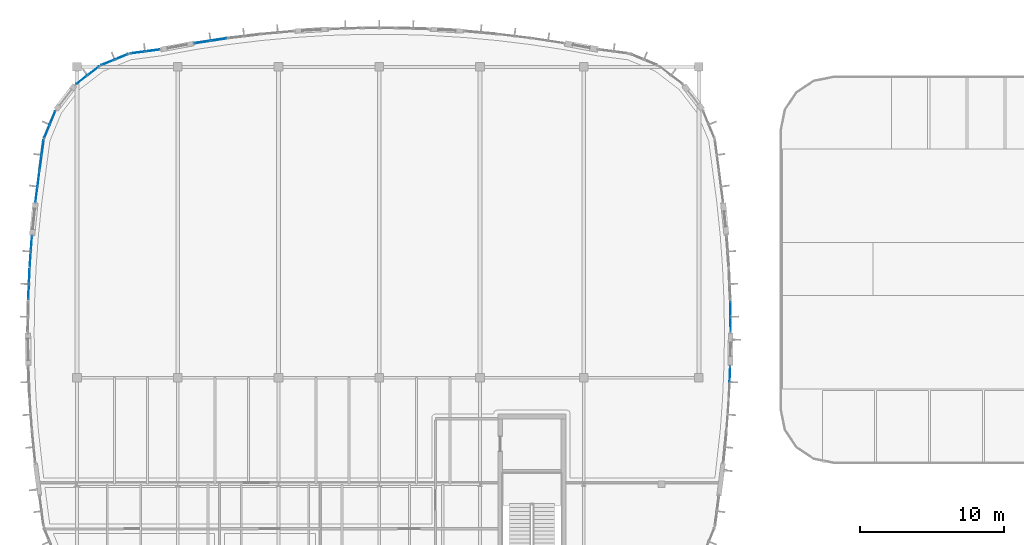
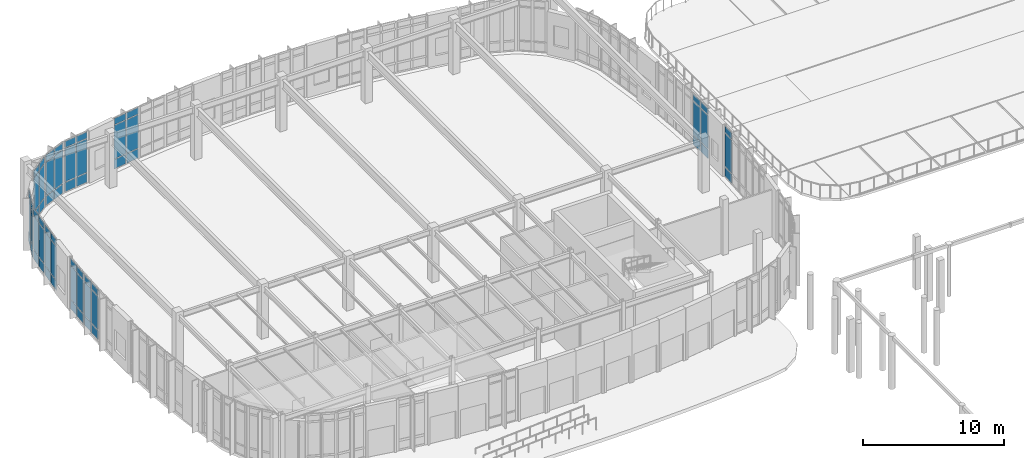
# One storey, part 77 of 120: 63 plates, 11 elements without a shape of their own.
"""IFC4 building model written with IfcOpenShell, lengths in metres."""

from ifc_helpers import new_model, si_unit, direction, frame, origin, origin_2d, place, context, subcontext, project, spatial, rectangle, extrude, material, layer, layer_set, type_object, element, aggregate, save


model = new_model("IFC4")

# Units and contexts
model_context = context("Model", 3, precision=1e-05, world=origin(), true_north=direction((0.0, 1.0)))
body_context = subcontext(model_context, "Body", "Model", "MODEL_VIEW")
ifc_project = project(units=[si_unit("LENGTHUNIT", "METRE"), si_unit("AREAUNIT", "SQUARE_METRE"), si_unit("VOLUMEUNIT", "CUBIC_METRE"), si_unit("PLANEANGLEUNIT", "RADIAN"), si_unit("MASSUNIT", "GRAM", prefix="KILO")], contexts=[model_context])

# Site, building, storey
site_placement = place(None, origin())
site = spatial("IfcSite", under=ifc_project, at=site_placement, CompositionType="ELEMENT")
building_placement = place(site_placement, origin())
building = spatial("IfcBuilding", under=site, at=building_placement, Name="Corveleigh Park Community Centre", CompositionType="ELEMENT")
storey_placement = place(building_placement, origin())
storey = spatial("IfcBuildingStorey", under=building, at=storey_placement, Name="L00", CompositionType="ELEMENT", Elevation=0.0)

# Curtain wall, plates
ifc_material_1 = material(Name="Anodised aluminium 6063-T6", Category="aluminium")
curtain_wall_type = type_object("IfcCurtainWallType", Name="CW-SYS-V2-L00", PredefinedType="NOTDEFINED", material=ifc_material_1)
curtain_wall_1_placement = place(storey_placement, origin())
curtain_wall_1 = element("IfcCurtainWall", 1, at=curtain_wall_1_placement, inside=storey, type_object=curtain_wall_type, Name="V2 L00 Curtain Wall 61", PredefinedType="NOTDEFINED")
ifc_material_2 = material(Name="Low-E double glazing", Category="glass")
ifc_layer_1 = layer(ifc_material_2, 0.02392578125, Name="Low-E double glazing", Category="glass")
ifc_layer_set_1 = layer_set([ifc_layer_1], Name="Low-E double glazing")
plate_type_1 = type_object("IfcPlateType", Name="CWP-GLZ-24", PredefinedType="CURTAIN_PANEL", material=ifc_layer_set_1)
plate_1_placement = place(storey_placement, frame((9.107421875, 109.909423828125, 0.06005859375), z_axis=(0.0, 0.0, 1.0), x_axis=(0.382946568059, 0.923770494231, 0.0)))
plate_1 = element("IfcPlate", 2, at=plate_1_placement, type_object=plate_type_1, Name="CW03 panel 1.1", PredefinedType="CURTAIN_PANEL", context=body_context, shape_type="SweptSolid", body=[
    extrude(rectangle(XDim=0.97412109375, YDim=0.02392578125, at=origin_2d()), origin(), (0.0, 0.0, 1.0), 0.81005859375),
])
plate_2_placement = place(storey_placement, frame((9.107421875, 109.909423828125, 0.93017578125), z_axis=(0.0, 0.0, 1.0), x_axis=(0.382946568059, 0.923770494231, 0.0)))
plate_2 = element("IfcPlate", 3, at=plate_2_placement, type_object=plate_type_1, Name="CW03 panel 1.2", PredefinedType="CURTAIN_PANEL", context=body_context, shape_type="SweptSolid", body=[
    extrude(rectangle(XDim=0.97412109375, YDim=0.02392578125, at=origin_2d()), origin(), (0.0, 0.0, 1.0), 2.902099609375),
])
plate_3_placement = place(storey_placement, frame((9.107421875, 109.909423828125, 3.89208984375), z_axis=(0.0, 0.0, 1.0), x_axis=(0.382946568059, 0.923770494231, 0.0)))
plate_3 = element("IfcPlate", 4, at=plate_3_placement, type_object=plate_type_1, Name="CW03 panel 1.3", PredefinedType="CURTAIN_PANEL", context=body_context, shape_type="SweptSolid", body=[
    extrude(rectangle(XDim=0.97412109375, YDim=0.02392578125, at=origin_2d()), origin(), (0.0, 0.0, 1.0), 0.56005859375),
])
plate_4_placement = place(storey_placement, frame((9.50341796875, 110.86474609375, 0.06005859375), z_axis=(0.0, 0.0, 1.0), x_axis=(0.382946568059, 0.923770494231, 0.0)))
plate_4 = element("IfcPlate", 5, at=plate_4_placement, type_object=plate_type_1, Name="CW03 panel 2.1", PredefinedType="CURTAIN_PANEL", context=body_context, shape_type="SweptSolid", body=[
    extrude(rectangle(XDim=0.97412109375, YDim=0.02392578125, at=origin_2d()), origin(), (0.0, 0.0, 1.0), 0.81005859375),
])
plate_5_placement = place(storey_placement, frame((9.50341796875, 110.86474609375, 0.93017578125), z_axis=(0.0, 0.0, 1.0), x_axis=(0.382946568059, 0.923770494231, 0.0)))
plate_5 = element("IfcPlate", 6, at=plate_5_placement, type_object=plate_type_1, Name="CW03 panel 2.2", PredefinedType="CURTAIN_PANEL", context=body_context, shape_type="SweptSolid", body=[
    extrude(rectangle(XDim=0.97412109375, YDim=0.02392578125, at=origin_2d()), origin(), (0.0, 0.0, 1.0), 2.902099609375),
])
plate_6_placement = place(storey_placement, frame((9.50341796875, 110.86474609375, 3.89208984375), z_axis=(0.0, 0.0, 1.0), x_axis=(0.382946568059, 0.923770494231, 0.0)))
plate_6 = element("IfcPlate", 7, at=plate_6_placement, type_object=plate_type_1, Name="CW03 panel 2.3", PredefinedType="CURTAIN_PANEL", context=body_context, shape_type="SweptSolid", body=[
    extrude(rectangle(XDim=0.97412109375, YDim=0.02392578125, at=origin_2d()), origin(), (0.0, 0.0, 1.0), 0.56005859375),
])
aggregate(curtain_wall_1, [plate_1, plate_2, plate_3, plate_4, plate_5, plate_6])

curtain_wall_2_placement = place(storey_placement, origin())
curtain_wall_2 = element("IfcCurtainWall", 8, at=curtain_wall_2_placement, inside=storey, type_object=curtain_wall_type, Name="V2 L00 Curtain Wall 62", PredefinedType="NOTDEFINED")
plate_7_placement = place(storey_placement, frame((8.67333984375, 107.756103515625, 0.06494140625), z_axis=(0.0, 0.0, 1.0), x_axis=(0.130430498525, 0.99145745499, 0.0)))
plate_7 = element("IfcPlate", 9, at=plate_7_placement, type_object=plate_type_1, Name="CW03 panel 1.1", PredefinedType="CURTAIN_PANEL", context=body_context, shape_type="SweptSolid", body=[
    extrude(rectangle(XDim=0.979736328125, YDim=0.02392578125, at=origin_2d()), origin(), (0.0, 0.0, 1.0), 0.802490234375),
])
plate_8_placement = place(storey_placement, frame((8.67333984375, 107.756103515625, 0.9326171875), z_axis=(0.0, 0.0, 1.0), x_axis=(0.130430498525, 0.99145745499, 0.0)))
plate_8 = element("IfcPlate", 10, at=plate_8_placement, type_object=plate_type_1, Name="CW03 panel 1.2", PredefinedType="CURTAIN_PANEL", context=body_context, shape_type="SweptSolid", body=[
    extrude(rectangle(XDim=0.979736328125, YDim=0.02392578125, at=origin_2d()), origin(), (0.0, 0.0, 1.0), 2.89697265625),
])
plate_9_placement = place(storey_placement, frame((8.67333984375, 107.756103515625, 3.89453125), z_axis=(0.0, 0.0, 1.0), x_axis=(0.130430498525, 0.99145745499, 0.0)))
plate_9 = element("IfcPlate", 11, at=plate_9_placement, type_object=plate_type_1, Name="CW03 panel 1.3", PredefinedType="CURTAIN_PANEL", context=body_context, shape_type="SweptSolid", body=[
    extrude(rectangle(XDim=0.979736328125, YDim=0.02392578125, at=origin_2d()), origin(), (0.0, 0.0, 1.0), 0.552490234375),
])
plate_10_placement = place(storey_placement, frame((8.8095703125, 108.7919921875, 0.06494140625), z_axis=(0.0, 0.0, 1.0), x_axis=(0.130430498525, 0.99145745499, 0.0)))
plate_10 = element("IfcPlate", 12, at=plate_10_placement, type_object=plate_type_1, Name="CW03 panel 2.1", PredefinedType="CURTAIN_PANEL", context=body_context, shape_type="SweptSolid", body=[
    extrude(rectangle(XDim=0.979736328125, YDim=0.02392578125, at=origin_2d()), origin(), (0.0, 0.0, 1.0), 0.802490234375),
])
plate_11_placement = place(storey_placement, frame((8.8095703125, 108.7919921875, 0.9326171875), z_axis=(0.0, 0.0, 1.0), x_axis=(0.130430498525, 0.99145745499, 0.0)))
plate_11 = element("IfcPlate", 13, at=plate_11_placement, type_object=plate_type_1, Name="CW03 panel 2.2", PredefinedType="CURTAIN_PANEL", context=body_context, shape_type="SweptSolid", body=[
    extrude(rectangle(XDim=0.979736328125, YDim=0.02392578125, at=origin_2d()), origin(), (0.0, 0.0, 1.0), 2.89697265625),
])
plate_12_placement = place(storey_placement, frame((8.8095703125, 108.7919921875, 3.89453125), z_axis=(0.0, 0.0, 1.0), x_axis=(0.130430498525, 0.99145745499, 0.0)))
plate_12 = element("IfcPlate", 14, at=plate_12_placement, type_object=plate_type_1, Name="CW03 panel 2.3", PredefinedType="CURTAIN_PANEL", context=body_context, shape_type="SweptSolid", body=[
    extrude(rectangle(XDim=0.979736328125, YDim=0.02392578125, at=origin_2d()), origin(), (0.0, 0.0, 1.0), 0.552490234375),
])
aggregate(curtain_wall_2, [plate_7, plate_8, plate_9, plate_10, plate_11, plate_12])

curtain_wall_3_placement = place(storey_placement, origin())
curtain_wall_3 = element("IfcCurtainWall", 15, at=curtain_wall_3_placement, inside=storey, type_object=curtain_wall_type, Name="V2 L00 Curtain Wall 39", PredefinedType="NOTDEFINED")
ifc_layer_2 = layer(ifc_material_2, 0.028076171875, Name="Low-E double glazing", Category="glass")
ifc_layer_set_2 = layer_set([ifc_layer_2], Name="Low-E double glazing")
plate_type_2 = type_object("IfcPlateType", Name="CWP-GLZ-28", PredefinedType="CURTAIN_PANEL", material=ifc_layer_set_2)
plate_13_placement = place(storey_placement, frame((56.561767578125, 93.043701171875, 0.074951171875), z_axis=(0.0, 0.0, 1.0), x_axis=(-0.043572286221, -0.99905027695, 0.0)))
plate_13 = element("IfcPlate", 16, at=plate_13_placement, type_object=plate_type_2, Name="CW03 panel 1.1", PredefinedType="CURTAIN_PANEL", context=body_context, shape_type="SweptSolid", body=[
    extrude(rectangle(XDim=1.01953125, YDim=0.028076171875, at=origin_2d()), origin(), (0.0, 0.0, 1.0), 0.78759765625),
])
plate_14_placement = place(storey_placement, frame((56.561767578125, 93.043701171875, 0.9375), z_axis=(0.0, 0.0, 1.0), x_axis=(-0.043572286221, -0.99905027695, 0.0)))
plate_14 = element("IfcPlate", 17, at=plate_14_placement, type_object=plate_type_2, Name="CW03 panel 1.2", PredefinedType="CURTAIN_PANEL", context=body_context, shape_type="SweptSolid", body=[
    extrude(rectangle(XDim=1.01953125, YDim=0.028076171875, at=origin_2d()), origin(), (0.0, 0.0, 1.0), 2.886962890625),
])
plate_15_placement = place(storey_placement, frame((56.561767578125, 93.043701171875, 3.8994140625), z_axis=(0.0, 0.0, 1.0), x_axis=(-0.043572286221, -0.99905027695, 0.0)))
plate_15 = element("IfcPlate", 18, at=plate_15_placement, type_object=plate_type_2, Name="CW03 panel 1.3", PredefinedType="CURTAIN_PANEL", context=body_context, shape_type="SweptSolid", body=[
    extrude(rectangle(XDim=1.01953125, YDim=0.028076171875, at=origin_2d()), origin(), (0.0, 0.0, 1.0), 0.53759765625),
])
aggregate(curtain_wall_3, [plate_13, plate_14, plate_15])

curtain_wall_4_placement = place(storey_placement, origin())
curtain_wall_4 = element("IfcCurtainWall", 19, at=curtain_wall_4_placement, inside=storey, type_object=curtain_wall_type, Name="V2 L00 Curtain Wall 40", PredefinedType="NOTDEFINED")
plate_16_placement = place(storey_placement, frame((56.595458984375, 97.57763671875, 0.080078125), z_axis=(0.0, 0.0, 1.0), x_axis=(0.014665089441, -0.999892461794, 0.0)))
plate_16 = element("IfcPlate", 20, at=plate_16_placement, type_object=plate_type_2, Name="CW03 panel 1.1", PredefinedType="CURTAIN_PANEL", context=body_context, shape_type="SweptSolid", body=[
    extrude(rectangle(XDim=1.0126953125, YDim=0.028076171875, at=origin_2d()), origin(), (0.0, 0.0, 1.0), 0.780029296875),
])
plate_17_placement = place(storey_placement, frame((56.595458984375, 97.57763671875, 0.93994140625), z_axis=(0.0, 0.0, 1.0), x_axis=(0.014665089441, -0.999892461794, 0.0)))
plate_17 = element("IfcPlate", 21, at=plate_17_placement, type_object=plate_type_2, Name="CW03 panel 1.2", PredefinedType="CURTAIN_PANEL", context=body_context, shape_type="SweptSolid", body=[
    extrude(rectangle(XDim=1.0126953125, YDim=0.028076171875, at=origin_2d()), origin(), (0.0, 0.0, 1.0), 2.882080078125),
])
plate_18_placement = place(storey_placement, frame((56.595458984375, 97.57763671875, 3.90185546875), z_axis=(0.0, 0.0, 1.0), x_axis=(0.014665089441, -0.999892461794, 0.0)))
plate_18 = element("IfcPlate", 22, at=plate_18_placement, type_object=plate_type_2, Name="CW03 panel 1.3", PredefinedType="CURTAIN_PANEL", context=body_context, shape_type="SweptSolid", body=[
    extrude(rectangle(XDim=1.0126953125, YDim=0.028076171875, at=origin_2d()), origin(), (0.0, 0.0, 1.0), 0.530029296875),
])
plate_19_placement = place(storey_placement, frame((56.611572265625, 96.490234375, 0.080078125), z_axis=(0.0, 0.0, 1.0), x_axis=(0.014665089441, -0.999892461794, 0.0)))
plate_19 = element("IfcPlate", 23, at=plate_19_placement, type_object=plate_type_2, Name="CW03 panel 2.1", PredefinedType="CURTAIN_PANEL", context=body_context, shape_type="SweptSolid", body=[
    extrude(rectangle(XDim=1.0126953125, YDim=0.028076171875, at=origin_2d()), origin(), (0.0, 0.0, 1.0), 0.780029296875),
])
plate_20_placement = place(storey_placement, frame((56.611572265625, 96.490234375, 0.93994140625), z_axis=(0.0, 0.0, 1.0), x_axis=(0.014665089441, -0.999892461794, 0.0)))
plate_20 = element("IfcPlate", 24, at=plate_20_placement, type_object=plate_type_2, Name="CW03 panel 2.2", PredefinedType="CURTAIN_PANEL", context=body_context, shape_type="SweptSolid", body=[
    extrude(rectangle(XDim=1.0126953125, YDim=0.028076171875, at=origin_2d()), origin(), (0.0, 0.0, 1.0), 2.882080078125),
])
plate_21_placement = place(storey_placement, frame((56.611572265625, 96.490234375, 3.90185546875), z_axis=(0.0, 0.0, 1.0), x_axis=(0.014665089441, -0.999892461794, 0.0)))
plate_21 = element("IfcPlate", 25, at=plate_21_placement, type_object=plate_type_2, Name="CW03 panel 2.3", PredefinedType="CURTAIN_PANEL", context=body_context, shape_type="SweptSolid", body=[
    extrude(rectangle(XDim=1.0126953125, YDim=0.028076171875, at=origin_2d()), origin(), (0.0, 0.0, 1.0), 0.530029296875),
])
aggregate(curtain_wall_4, [plate_16, plate_17, plate_18, plate_19, plate_20, plate_21])

curtain_wall_5_placement = place(storey_placement, origin())
curtain_wall_5 = element("IfcCurtainWall", 26, at=curtain_wall_5_placement, inside=storey, type_object=curtain_wall_type, Name="V2 L00 Curtain Wall 63", PredefinedType="NOTDEFINED")
plate_22_placement = place(storey_placement, frame((8.381591796875, 105.535888671875, 0.070068359375), z_axis=(0.0, 0.0, 1.0), x_axis=(0.13004118961, 0.991508592502, 0.0)))
plate_22 = element("IfcPlate", 27, at=plate_22_placement, type_object=plate_type_2, Name="CW03 panel 1.1", PredefinedType="CURTAIN_PANEL", context=body_context, shape_type="SweptSolid", body=[
    extrude(rectangle(XDim=1.021484375, YDim=0.028076171875, at=origin_2d()), origin(), (0.0, 0.0, 1.0), 0.794921875),
])
plate_23_placement = place(storey_placement, frame((8.381591796875, 105.535888671875, 0.93505859375), z_axis=(0.0, 0.0, 1.0), x_axis=(0.13004118961, 0.991508592502, 0.0)))
plate_23 = element("IfcPlate", 28, at=plate_23_placement, type_object=plate_type_2, Name="CW03 panel 1.2", PredefinedType="CURTAIN_PANEL", context=body_context, shape_type="SweptSolid", body=[
    extrude(rectangle(XDim=1.021484375, YDim=0.028076171875, at=origin_2d()), origin(), (0.0, 0.0, 1.0), 2.89208984375),
])
plate_24_placement = place(storey_placement, frame((8.381591796875, 105.535888671875, 3.89697265625), z_axis=(0.0, 0.0, 1.0), x_axis=(0.13004118961, 0.991508592502, 0.0)))
plate_24 = element("IfcPlate", 29, at=plate_24_placement, type_object=plate_type_2, Name="CW03 panel 1.3", PredefinedType="CURTAIN_PANEL", context=body_context, shape_type="SweptSolid", body=[
    extrude(rectangle(XDim=1.021484375, YDim=0.028076171875, at=origin_2d()), origin(), (0.0, 0.0, 1.0), 0.544921875),
])
plate_25_placement = place(storey_placement, frame((8.5234375, 106.6181640625, 0.070068359375), z_axis=(0.0, 0.0, 1.0), x_axis=(0.13004118961, 0.991508592502, 0.0)))
plate_25 = element("IfcPlate", 30, at=plate_25_placement, type_object=plate_type_2, Name="CW03 panel 2.1", PredefinedType="CURTAIN_PANEL", context=body_context, shape_type="SweptSolid", body=[
    extrude(rectangle(XDim=1.021484375, YDim=0.028076171875, at=origin_2d()), origin(), (0.0, 0.0, 1.0), 0.794921875),
])
plate_26_placement = place(storey_placement, frame((8.5234375, 106.6181640625, 0.93505859375), z_axis=(0.0, 0.0, 1.0), x_axis=(0.13004118961, 0.991508592502, 0.0)))
plate_26 = element("IfcPlate", 31, at=plate_26_placement, type_object=plate_type_2, Name="CW03 panel 2.2", PredefinedType="CURTAIN_PANEL", context=body_context, shape_type="SweptSolid", body=[
    extrude(rectangle(XDim=1.021484375, YDim=0.028076171875, at=origin_2d()), origin(), (0.0, 0.0, 1.0), 2.89208984375),
])
plate_27_placement = place(storey_placement, frame((8.5234375, 106.6181640625, 3.89697265625), z_axis=(0.0, 0.0, 1.0), x_axis=(0.13004118961, 0.991508592502, 0.0)))
plate_27 = element("IfcPlate", 32, at=plate_27_placement, type_object=plate_type_2, Name="CW03 panel 2.3", PredefinedType="CURTAIN_PANEL", context=body_context, shape_type="SweptSolid", body=[
    extrude(rectangle(XDim=1.021484375, YDim=0.028076171875, at=origin_2d()), origin(), (0.0, 0.0, 1.0), 0.544921875),
])
aggregate(curtain_wall_5, [plate_22, plate_23, plate_24, plate_25, plate_26, plate_27])

curtain_wall_6_placement = place(storey_placement, origin())
curtain_wall_6 = element("IfcCurtainWall", 33, at=curtain_wall_6_placement, inside=storey, type_object=curtain_wall_type, Name="V2 L00 Curtain Wall 64", PredefinedType="NOTDEFINED")
plate_28_placement = place(storey_placement, frame((7.953857421875, 101.021728515625, 0.074951171875), z_axis=(0.0, 0.0, 1.0), x_axis=(0.072005120539, 0.997404262381, 0.0)))
plate_28 = element("IfcPlate", 34, at=plate_28_placement, type_object=plate_type_2, Name="CW03 panel 1.1", PredefinedType="CURTAIN_PANEL", context=body_context, shape_type="SweptSolid", body=[
    extrude(rectangle(XDim=1.012451171875, YDim=0.028076171875, at=origin_2d()), origin(), (0.0, 0.0, 1.0), 0.78759765625),
])
plate_29_placement = place(storey_placement, frame((7.953857421875, 101.021728515625, 0.9375), z_axis=(0.0, 0.0, 1.0), x_axis=(0.072005120539, 0.997404262381, 0.0)))
plate_29 = element("IfcPlate", 35, at=plate_29_placement, type_object=plate_type_2, Name="CW03 panel 1.2", PredefinedType="CURTAIN_PANEL", context=body_context, shape_type="SweptSolid", body=[
    extrude(rectangle(XDim=1.012451171875, YDim=0.028076171875, at=origin_2d()), origin(), (0.0, 0.0, 1.0), 2.886962890625),
])
plate_30_placement = place(storey_placement, frame((7.953857421875, 101.021728515625, 3.8994140625), z_axis=(0.0, 0.0, 1.0), x_axis=(0.072005120539, 0.997404262381, 0.0)))
plate_30 = element("IfcPlate", 36, at=plate_30_placement, type_object=plate_type_2, Name="CW03 panel 1.3", PredefinedType="CURTAIN_PANEL", context=body_context, shape_type="SweptSolid", body=[
    extrude(rectangle(XDim=1.012451171875, YDim=0.028076171875, at=origin_2d()), origin(), (0.0, 0.0, 1.0), 0.53759765625),
])
plate_31_placement = place(storey_placement, frame((8.0322265625, 102.106201171875, 0.074951171875), z_axis=(0.0, 0.0, 1.0), x_axis=(0.072005120539, 0.997404262381, 0.0)))
plate_31 = element("IfcPlate", 37, at=plate_31_placement, type_object=plate_type_2, Name="CW03 panel 2.1", PredefinedType="CURTAIN_PANEL", context=body_context, shape_type="SweptSolid", body=[
    extrude(rectangle(XDim=1.012451171875, YDim=0.028076171875, at=origin_2d()), origin(), (0.0, 0.0, 1.0), 0.78759765625),
])
plate_32_placement = place(storey_placement, frame((8.0322265625, 102.106201171875, 0.9375), z_axis=(0.0, 0.0, 1.0), x_axis=(0.072005120539, 0.997404262381, 0.0)))
plate_32 = element("IfcPlate", 38, at=plate_32_placement, type_object=plate_type_2, Name="CW03 panel 2.2", PredefinedType="CURTAIN_PANEL", context=body_context, shape_type="SweptSolid", body=[
    extrude(rectangle(XDim=1.012451171875, YDim=0.028076171875, at=origin_2d()), origin(), (0.0, 0.0, 1.0), 2.886962890625),
])
plate_33_placement = place(storey_placement, frame((8.0322265625, 102.106201171875, 3.8994140625), z_axis=(0.0, 0.0, 1.0), x_axis=(0.072005120539, 0.997404262381, 0.0)))
plate_33 = element("IfcPlate", 39, at=plate_33_placement, type_object=plate_type_2, Name="CW03 panel 2.3", PredefinedType="CURTAIN_PANEL", context=body_context, shape_type="SweptSolid", body=[
    extrude(rectangle(XDim=1.012451171875, YDim=0.028076171875, at=origin_2d()), origin(), (0.0, 0.0, 1.0), 0.53759765625),
])
aggregate(curtain_wall_6, [plate_28, plate_29, plate_30, plate_31, plate_32, plate_33])

curtain_wall_7_placement = place(storey_placement, origin())
curtain_wall_7 = element("IfcCurtainWall", 40, at=curtain_wall_7_placement, inside=storey, type_object=curtain_wall_type, Name="V2 L00 Curtain Wall 65", PredefinedType="NOTDEFINED")
ifc_layer_3 = layer(ifc_material_2, 0.031982421875, Name="Low-E double glazing", Category="glass")
ifc_layer_set_3 = layer_set([ifc_layer_3], Name="Low-E double glazing")
plate_type_3 = type_object("IfcPlateType", Name="CWP-GLZ-32", PredefinedType="CURTAIN_PANEL", material=ifc_layer_set_3)
plate_34_placement = place(storey_placement, frame((7.83837890625, 98.7587890625, 0.080078125), z_axis=(0.0, 0.0, 1.0), x_axis=(0.043572286221, 0.99905027695, 0.0)))
plate_34 = element("IfcPlate", 41, at=plate_34_placement, type_object=plate_type_3, Name="CW03 panel 1.1", PredefinedType="CURTAIN_PANEL", context=body_context, shape_type="SweptSolid", body=[
    extrude(rectangle(XDim=1.004638671875, YDim=0.031982421875, at=origin_2d()), origin(), (0.0, 0.0, 1.0), 0.780029296875),
])
plate_35_placement = place(storey_placement, frame((7.83837890625, 98.7587890625, 0.93994140625), z_axis=(0.0, 0.0, 1.0), x_axis=(0.043572286221, 0.99905027695, 0.0)))
plate_35 = element("IfcPlate", 42, at=plate_35_placement, type_object=plate_type_3, Name="CW03 panel 1.2", PredefinedType="CURTAIN_PANEL", context=body_context, shape_type="SweptSolid", body=[
    extrude(rectangle(XDim=1.004638671875, YDim=0.031982421875, at=origin_2d()), origin(), (0.0, 0.0, 1.0), 2.882080078125),
])
plate_36_placement = place(storey_placement, frame((7.83837890625, 98.7587890625, 3.90185546875), z_axis=(0.0, 0.0, 1.0), x_axis=(0.043572286221, 0.99905027695, 0.0)))
plate_36 = element("IfcPlate", 43, at=plate_36_placement, type_object=plate_type_3, Name="CW03 panel 1.3", PredefinedType="CURTAIN_PANEL", context=body_context, shape_type="SweptSolid", body=[
    extrude(rectangle(XDim=1.004638671875, YDim=0.031982421875, at=origin_2d()), origin(), (0.0, 0.0, 1.0), 0.530029296875),
])
plate_37_placement = place(storey_placement, frame((7.8857421875, 99.84228515625, 0.080078125), z_axis=(0.0, 0.0, 1.0), x_axis=(0.043572286221, 0.99905027695, 0.0)))
plate_37 = element("IfcPlate", 44, at=plate_37_placement, type_object=plate_type_3, Name="CW03 panel 2.1", PredefinedType="CURTAIN_PANEL", context=body_context, shape_type="SweptSolid", body=[
    extrude(rectangle(XDim=1.004638671875, YDim=0.031982421875, at=origin_2d()), origin(), (0.0, 0.0, 1.0), 0.780029296875),
])
plate_38_placement = place(storey_placement, frame((7.8857421875, 99.84228515625, 0.93994140625), z_axis=(0.0, 0.0, 1.0), x_axis=(0.043572286221, 0.99905027695, 0.0)))
plate_38 = element("IfcPlate", 45, at=plate_38_placement, type_object=plate_type_3, Name="CW03 panel 2.2", PredefinedType="CURTAIN_PANEL", context=body_context, shape_type="SweptSolid", body=[
    extrude(rectangle(XDim=1.004638671875, YDim=0.031982421875, at=origin_2d()), origin(), (0.0, 0.0, 1.0), 2.882080078125),
])
plate_39_placement = place(storey_placement, frame((7.8857421875, 99.84228515625, 3.90185546875), z_axis=(0.0, 0.0, 1.0), x_axis=(0.043572286221, 0.99905027695, 0.0)))
plate_39 = element("IfcPlate", 46, at=plate_39_placement, type_object=plate_type_3, Name="CW03 panel 2.3", PredefinedType="CURTAIN_PANEL", context=body_context, shape_type="SweptSolid", body=[
    extrude(rectangle(XDim=1.004638671875, YDim=0.031982421875, at=origin_2d()), origin(), (0.0, 0.0, 1.0), 0.530029296875),
])
aggregate(curtain_wall_7, [plate_34, plate_35, plate_36, plate_37, plate_38, plate_39])

curtain_wall_8_placement = place(storey_placement, origin())
curtain_wall_8 = element("IfcCurtainWall", 47, at=curtain_wall_8_placement, inside=storey, type_object=curtain_wall_type, Name="V2 L00 Curtain Wall 57", PredefinedType="NOTDEFINED")
ifc_layer_4 = layer(ifc_material_2, 0.0400390625, Name="Low-E double glazing", Category="glass")
ifc_layer_set_4 = layer_set([ifc_layer_4], Name="Low-E double glazing")
plate_type_4 = type_object("IfcPlateType", Name="CWP-GLZ-40", PredefinedType="CURTAIN_PANEL", material=ifc_layer_set_4)
plate_40_placement = place(storey_placement, frame((19.918212890625, 116.11669921875, 0.06494140625), z_axis=(0.0, 0.0, 1.0), x_axis=(0.988568927471, 0.150769611128, 0.0)))
plate_40 = element("IfcPlate", 48, at=plate_40_placement, type_object=plate_type_4, Name="CW03 panel 1.1", PredefinedType="CURTAIN_PANEL", context=body_context, shape_type="SweptSolid", body=[
    extrude(rectangle(XDim=1.062255859375, YDim=0.0400390625, at=origin_2d()), origin(), (0.0, 0.0, 1.0), 0.802490234375),
])
plate_41_placement = place(storey_placement, frame((19.918212890625, 116.11669921875, 0.9326171875), z_axis=(0.0, 0.0, 1.0), x_axis=(0.988568927471, 0.150769611128, 0.0)))
plate_41 = element("IfcPlate", 49, at=plate_41_placement, type_object=plate_type_4, Name="CW03 panel 1.2", PredefinedType="CURTAIN_PANEL", context=body_context, shape_type="SweptSolid", body=[
    extrude(rectangle(XDim=1.062255859375, YDim=0.0400390625, at=origin_2d()), origin(), (0.0, 0.0, 1.0), 2.89697265625),
])
plate_42_placement = place(storey_placement, frame((19.918212890625, 116.11669921875, 3.89453125), z_axis=(0.0, 0.0, 1.0), x_axis=(0.988568927471, 0.150769611128, 0.0)))
plate_42 = element("IfcPlate", 50, at=plate_42_placement, type_object=plate_type_4, Name="CW03 panel 1.3", PredefinedType="CURTAIN_PANEL", context=body_context, shape_type="SweptSolid", body=[
    extrude(rectangle(XDim=1.062255859375, YDim=0.0400390625, at=origin_2d()), origin(), (0.0, 0.0, 1.0), 0.552490234375),
])
plate_43_placement = place(storey_placement, frame((21.03759765625, 116.287353515625, 0.06494140625), z_axis=(0.0, 0.0, 1.0), x_axis=(0.988568927471, 0.150769611128, 0.0)))
plate_43 = element("IfcPlate", 51, at=plate_43_placement, type_object=plate_type_4, Name="CW03 panel 2.1", PredefinedType="CURTAIN_PANEL", context=body_context, shape_type="SweptSolid", body=[
    extrude(rectangle(XDim=1.062255859375, YDim=0.0400390625, at=origin_2d()), origin(), (0.0, 0.0, 1.0), 0.802490234375),
])
plate_44_placement = place(storey_placement, frame((21.03759765625, 116.287353515625, 0.9326171875), z_axis=(0.0, 0.0, 1.0), x_axis=(0.988568927471, 0.150769611128, 0.0)))
plate_44 = element("IfcPlate", 52, at=plate_44_placement, type_object=plate_type_4, Name="CW03 panel 2.2", PredefinedType="CURTAIN_PANEL", context=body_context, shape_type="SweptSolid", body=[
    extrude(rectangle(XDim=1.062255859375, YDim=0.0400390625, at=origin_2d()), origin(), (0.0, 0.0, 1.0), 2.89697265625),
])
plate_45_placement = place(storey_placement, frame((21.03759765625, 116.287353515625, 3.89453125), z_axis=(0.0, 0.0, 1.0), x_axis=(0.988568927471, 0.150769611128, 0.0)))
plate_45 = element("IfcPlate", 53, at=plate_45_placement, type_object=plate_type_4, Name="CW03 panel 2.3", PredefinedType="CURTAIN_PANEL", context=body_context, shape_type="SweptSolid", body=[
    extrude(rectangle(XDim=1.062255859375, YDim=0.0400390625, at=origin_2d()), origin(), (0.0, 0.0, 1.0), 0.552490234375),
])
aggregate(curtain_wall_8, [plate_40, plate_41, plate_42, plate_43, plate_44, plate_45])

curtain_wall_9_placement = place(storey_placement, origin())
curtain_wall_9 = element("IfcCurtainWall", 54, at=curtain_wall_9_placement, inside=storey, type_object=curtain_wall_type, Name="V2 L00 Curtain Wall 58", PredefinedType="NOTDEFINED")
plate_46_placement = place(storey_placement, frame((15.409423828125, 115.390625, 0.070068359375), z_axis=(0.0, 0.0, 1.0), x_axis=(0.991417836118, 0.130731305458, 0.0)))
plate_46 = element("IfcPlate", 55, at=plate_46_placement, type_object=plate_type_4, Name="CW03 panel 1.1", PredefinedType="CURTAIN_PANEL", context=body_context, shape_type="SweptSolid", body=[
    extrude(rectangle(XDim=0.962158203125, YDim=0.0400390625, at=origin_2d()), origin(), (0.0, 0.0, 1.0), 0.794921875),
])
plate_47_placement = place(storey_placement, frame((15.409423828125, 115.390625, 0.93505859375), z_axis=(0.0, 0.0, 1.0), x_axis=(0.991417836118, 0.130731305458, 0.0)))
plate_47 = element("IfcPlate", 56, at=plate_47_placement, type_object=plate_type_4, Name="CW03 panel 1.2", PredefinedType="CURTAIN_PANEL", context=body_context, shape_type="SweptSolid", body=[
    extrude(rectangle(XDim=0.962158203125, YDim=0.0400390625, at=origin_2d()), origin(), (0.0, 0.0, 1.0), 2.89208984375),
])
plate_48_placement = place(storey_placement, frame((15.409423828125, 115.390625, 3.89697265625), z_axis=(0.0, 0.0, 1.0), x_axis=(0.991417836118, 0.130731305458, 0.0)))
plate_48 = element("IfcPlate", 57, at=plate_48_placement, type_object=plate_type_4, Name="CW03 panel 1.3", PredefinedType="CURTAIN_PANEL", context=body_context, shape_type="SweptSolid", body=[
    extrude(rectangle(XDim=0.962158203125, YDim=0.0400390625, at=origin_2d()), origin(), (0.0, 0.0, 1.0), 0.544921875),
])
plate_49_placement = place(storey_placement, frame((16.437744140625, 115.5263671875, 0.070068359375), z_axis=(0.0, 0.0, 1.0), x_axis=(0.991417836118, 0.130731305458, 0.0)))
plate_49 = element("IfcPlate", 58, at=plate_49_placement, type_object=plate_type_4, Name="CW03 panel 2.1", PredefinedType="CURTAIN_PANEL", context=body_context, shape_type="SweptSolid", body=[
    extrude(rectangle(XDim=0.962158203125, YDim=0.0400390625, at=origin_2d()), origin(), (0.0, 0.0, 1.0), 0.794921875),
])
plate_50_placement = place(storey_placement, frame((16.437744140625, 115.5263671875, 0.93505859375), z_axis=(0.0, 0.0, 1.0), x_axis=(0.991417836118, 0.130731305458, 0.0)))
plate_50 = element("IfcPlate", 59, at=plate_50_placement, type_object=plate_type_4, Name="CW03 panel 2.2", PredefinedType="CURTAIN_PANEL", context=body_context, shape_type="SweptSolid", body=[
    extrude(rectangle(XDim=0.962158203125, YDim=0.0400390625, at=origin_2d()), origin(), (0.0, 0.0, 1.0), 2.89208984375),
])
plate_51_placement = place(storey_placement, frame((16.437744140625, 115.5263671875, 3.89697265625), z_axis=(0.0, 0.0, 1.0), x_axis=(0.991417836118, 0.130731305458, 0.0)))
plate_51 = element("IfcPlate", 60, at=plate_51_placement, type_object=plate_type_4, Name="CW03 panel 2.3", PredefinedType="CURTAIN_PANEL", context=body_context, shape_type="SweptSolid", body=[
    extrude(rectangle(XDim=0.962158203125, YDim=0.0400390625, at=origin_2d()), origin(), (0.0, 0.0, 1.0), 0.544921875),
])
aggregate(curtain_wall_9, [plate_46, plate_47, plate_48, plate_49, plate_50, plate_51])

curtain_wall_10_placement = place(storey_placement, origin())
curtain_wall_10 = element("IfcCurtainWall", 61, at=curtain_wall_10_placement, inside=storey, type_object=curtain_wall_type, Name="V2 L00 Curtain Wall 59", PredefinedType="NOTDEFINED")
ifc_layer_5 = layer(ifc_material_2, 0.0439453125, Name="Low-E double glazing", Category="glass")
ifc_layer_set_5 = layer_set([ifc_layer_5], Name="Low-E double glazing")
plate_type_5 = type_object("IfcPlateType", Name="CWP-GLZ-44", PredefinedType="CURTAIN_PANEL", material=ifc_layer_set_5)
plate_52_placement = place(storey_placement, frame((13.340087890625, 114.698486328125, 0.074951171875), z_axis=(0.0, 0.0, 1.0), x_axis=(0.923770494231, 0.382946568059, 0.0)))
plate_52 = element("IfcPlate", 62, at=plate_52_placement, type_object=plate_type_5, Name="CW03 panel 1.1", PredefinedType="CURTAIN_PANEL", context=body_context, shape_type="SweptSolid", body=[
    extrude(rectangle(XDim=0.944091796875, YDim=0.0439453125, at=origin_2d()), origin(), (0.0, 0.0, 1.0), 0.78759765625),
])
plate_53_placement = place(storey_placement, frame((13.340087890625, 114.698486328125, 0.9375), z_axis=(0.0, 0.0, 1.0), x_axis=(0.923770494231, 0.382946568059, 0.0)))
plate_53 = element("IfcPlate", 63, at=plate_53_placement, type_object=plate_type_5, Name="CW03 panel 1.2", PredefinedType="CURTAIN_PANEL", context=body_context, shape_type="SweptSolid", body=[
    extrude(rectangle(XDim=0.944091796875, YDim=0.0439453125, at=origin_2d()), origin(), (0.0, 0.0, 1.0), 2.886962890625),
])
plate_54_placement = place(storey_placement, frame((13.340087890625, 114.698486328125, 3.8994140625), z_axis=(0.0, 0.0, 1.0), x_axis=(0.923770494231, 0.382946568059, 0.0)))
plate_54 = element("IfcPlate", 64, at=plate_54_placement, type_object=plate_type_5, Name="CW03 panel 1.3", PredefinedType="CURTAIN_PANEL", context=body_context, shape_type="SweptSolid", body=[
    extrude(rectangle(XDim=0.944091796875, YDim=0.0439453125, at=origin_2d()), origin(), (0.0, 0.0, 1.0), 0.53759765625),
])
plate_55_placement = place(storey_placement, frame((14.2861328125, 115.090576171875, 0.074951171875), z_axis=(0.0, 0.0, 1.0), x_axis=(0.923770494231, 0.382946568059, 0.0)))
plate_55 = element("IfcPlate", 65, at=plate_55_placement, type_object=plate_type_5, Name="CW03 panel 2.1", PredefinedType="CURTAIN_PANEL", context=body_context, shape_type="SweptSolid", body=[
    extrude(rectangle(XDim=0.944091796875, YDim=0.0439453125, at=origin_2d()), origin(), (0.0, 0.0, 1.0), 0.78759765625),
])
plate_56_placement = place(storey_placement, frame((14.2861328125, 115.090576171875, 0.9375), z_axis=(0.0, 0.0, 1.0), x_axis=(0.923770494231, 0.382946568059, 0.0)))
plate_56 = element("IfcPlate", 66, at=plate_56_placement, type_object=plate_type_5, Name="CW03 panel 2.2", PredefinedType="CURTAIN_PANEL", context=body_context, shape_type="SweptSolid", body=[
    extrude(rectangle(XDim=0.944091796875, YDim=0.0439453125, at=origin_2d()), origin(), (0.0, 0.0, 1.0), 2.886962890625),
])
plate_57_placement = place(storey_placement, frame((14.2861328125, 115.090576171875, 3.8994140625), z_axis=(0.0, 0.0, 1.0), x_axis=(0.923770494231, 0.382946568059, 0.0)))
plate_57 = element("IfcPlate", 67, at=plate_57_placement, type_object=plate_type_5, Name="CW03 panel 2.3", PredefinedType="CURTAIN_PANEL", context=body_context, shape_type="SweptSolid", body=[
    extrude(rectangle(XDim=0.944091796875, YDim=0.0439453125, at=origin_2d()), origin(), (0.0, 0.0, 1.0), 0.53759765625),
])
aggregate(curtain_wall_10, [plate_52, plate_53, plate_54, plate_55, plate_56, plate_57])

curtain_wall_11_placement = place(storey_placement, origin())
curtain_wall_11 = element("IfcCurtainWall", 68, at=curtain_wall_11_placement, inside=storey, type_object=curtain_wall_type, Name="V2 L00 Curtain Wall 60", PredefinedType="NOTDEFINED")
plate_58_placement = place(storey_placement, frame((11.5244140625, 113.49609375, 0.080078125), z_axis=(0.0, 0.0, 1.0), x_axis=(0.793304053581, 0.608825655317, 0.0)))
plate_58 = element("IfcPlate", 69, at=plate_58_placement, type_object=plate_type_5, Name="CW03 panel 1.1", PredefinedType="CURTAIN_PANEL", context=body_context, shape_type="SweptSolid", body=[
    extrude(rectangle(XDim=0.937744140625, YDim=0.0439453125, at=origin_2d()), origin(), (0.0, 0.0, 1.0), 0.780029296875),
])
plate_59_placement = place(storey_placement, frame((11.5244140625, 113.49609375, 0.93994140625), z_axis=(0.0, 0.0, 1.0), x_axis=(0.793304053581, 0.608825655317, 0.0)))
plate_59 = element("IfcPlate", 70, at=plate_59_placement, type_object=plate_type_5, Name="CW03 panel 1.2", PredefinedType="CURTAIN_PANEL", context=body_context, shape_type="SweptSolid", body=[
    extrude(rectangle(XDim=0.937744140625, YDim=0.0439453125, at=origin_2d()), origin(), (0.0, 0.0, 1.0), 2.882080078125),
])
plate_60_placement = place(storey_placement, frame((11.5244140625, 113.49609375, 3.90185546875), z_axis=(0.0, 0.0, 1.0), x_axis=(0.793304053581, 0.608825655317, 0.0)))
plate_60 = element("IfcPlate", 71, at=plate_60_placement, type_object=plate_type_5, Name="CW03 panel 1.3", PredefinedType="CURTAIN_PANEL", context=body_context, shape_type="SweptSolid", body=[
    extrude(rectangle(XDim=0.937744140625, YDim=0.0439453125, at=origin_2d()), origin(), (0.0, 0.0, 1.0), 0.530029296875),
])
plate_61_placement = place(storey_placement, frame((12.335693359375, 114.118896484375, 0.080078125), z_axis=(0.0, 0.0, 1.0), x_axis=(0.793304053581, 0.608825655317, 0.0)))
plate_61 = element("IfcPlate", 72, at=plate_61_placement, type_object=plate_type_5, Name="CW03 panel 2.1", PredefinedType="CURTAIN_PANEL", context=body_context, shape_type="SweptSolid", body=[
    extrude(rectangle(XDim=0.937744140625, YDim=0.0439453125, at=origin_2d()), origin(), (0.0, 0.0, 1.0), 0.780029296875),
])
plate_62_placement = place(storey_placement, frame((12.335693359375, 114.118896484375, 0.93994140625), z_axis=(0.0, 0.0, 1.0), x_axis=(0.793304053581, 0.608825655317, 0.0)))
plate_62 = element("IfcPlate", 73, at=plate_62_placement, type_object=plate_type_5, Name="CW03 panel 2.2", PredefinedType="CURTAIN_PANEL", context=body_context, shape_type="SweptSolid", body=[
    extrude(rectangle(XDim=0.937744140625, YDim=0.0439453125, at=origin_2d()), origin(), (0.0, 0.0, 1.0), 2.882080078125),
])
plate_63_placement = place(storey_placement, frame((12.335693359375, 114.118896484375, 3.90185546875), z_axis=(0.0, 0.0, 1.0), x_axis=(0.793304053581, 0.608825655317, 0.0)))
plate_63 = element("IfcPlate", 74, at=plate_63_placement, type_object=plate_type_5, Name="CW03 panel 2.3", PredefinedType="CURTAIN_PANEL", context=body_context, shape_type="SweptSolid", body=[
    extrude(rectangle(XDim=0.937744140625, YDim=0.0439453125, at=origin_2d()), origin(), (0.0, 0.0, 1.0), 0.530029296875),
])
aggregate(curtain_wall_11, [plate_58, plate_59, plate_60, plate_61, plate_62, plate_63])

save(model, "model.ifc")
